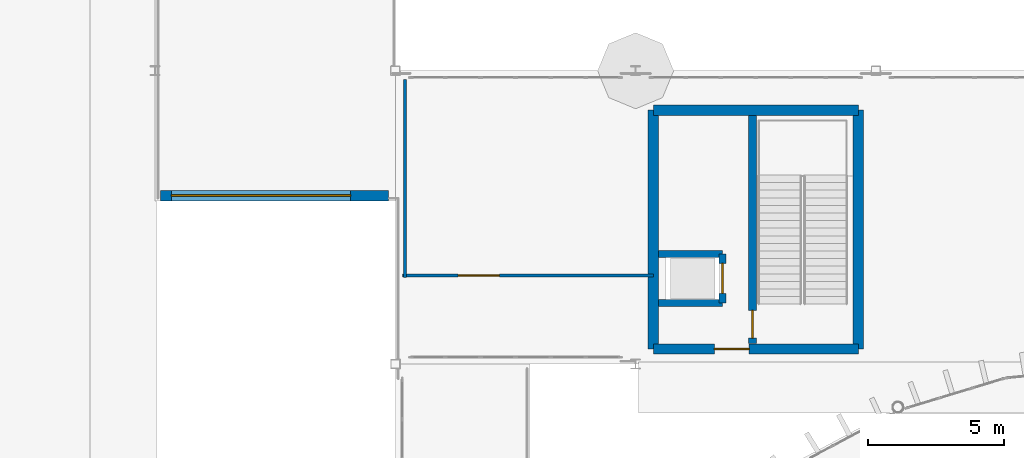
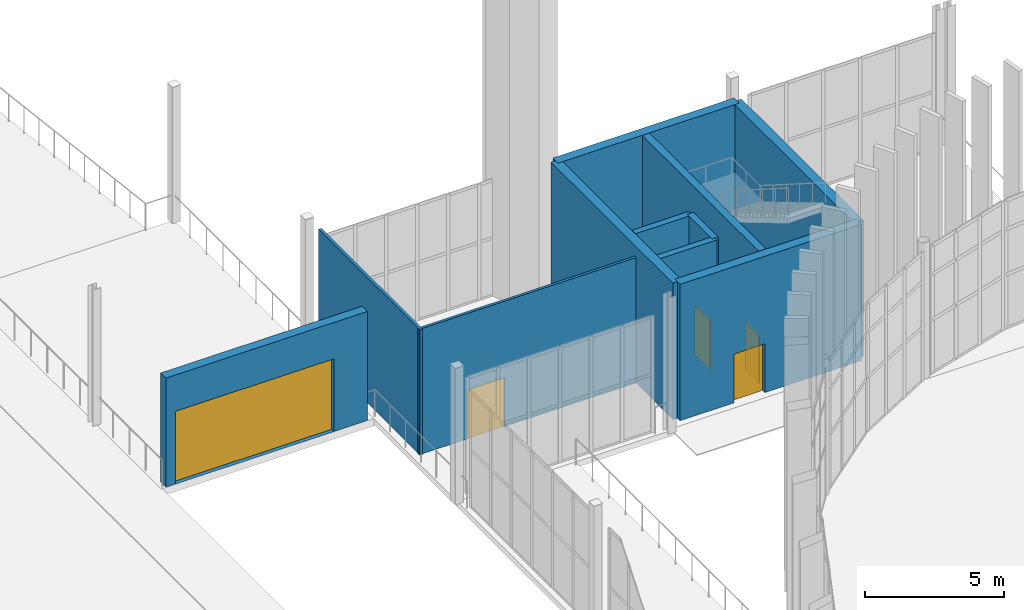
# One storey, part 103 of 139: 11 walls, 5 doors, 5 openings.
"""IFC4 building model written with IfcOpenShell, lengths in metres."""

import ifcopenshell
import ifcopenshell.guid

model = None  # the IFC model being written
_history = None  # IfcOwnerHistory: only IFC2X3 demands one
_inside = {}  # id of a spatial element -> (the spatial element, [elements in it])
_under = {}  # id of a project, library or spatial element -> (it, [spatial elements below it])
_declared = {}  # id of a project -> (the project, [libraries it declares])
_typed = {}  # id of a type object -> (the type object, [elements of that type])
_made_of = {}  # id of a material, layer set ... -> (it, [elements and type objects made of it])


def new_model(schema):
    """Start an empty IFC model of exactly this schema.

    Asked for "IFC4X3", IfcOpenShell would pick the latest addendum, in which some entities
    have other attributes; the version numbers below select the first issue.
    IFC2X3 requires an IfcOwnerHistory on every rooted entity: one is made here for all.
    """
    global model, _history
    if schema == "IFC4X3":
        model = ifcopenshell.file(schema_version=(4, 3, 0, 0))
    else:
        model = ifcopenshell.file(schema=schema)
    _inside.clear()
    _under.clear()
    _declared.clear()
    _typed.clear()
    _made_of.clear()
    _history = None
    if model.schema == "IFC2X3":
        org = make("IfcOrganization", Name="unknown")
        user = make(
            "IfcPersonAndOrganization",
            ThePerson=make("IfcPerson", FamilyName="unknown"),
            TheOrganization=org,
        )
        app = make(
            "IfcApplication",
            ApplicationDeveloper=org,
            Version="unknown",
            ApplicationFullName="unknown",
            ApplicationIdentifier="unknown",
        )
        _history = make(
            "IfcOwnerHistory",
            OwningUser=user,
            OwningApplication=app,
            ChangeAction="ADDED",
            CreationDate=0,
        )
    return model


def make(cls, **values):
    """One entity of the class cls with the attributes given. An attribute that is None is left unset."""
    return model.create_entity(
        cls, **{name: value for name, value in values.items() if value is not None}
    )


def rooted(cls, **values):
    """An entity with a GlobalId (a new one), such as an element, a storey or a relation."""
    return make(cls, GlobalId=ifcopenshell.guid.new(), OwnerHistory=_history, **values)


def si_unit(unit_type, name, prefix=None):
    """IfcSIUnit, for example si_unit("LENGTHUNIT", "METRE", prefix="MILLI")."""
    return make("IfcSIUnit", UnitType=unit_type, Prefix=prefix, Name=name)


def assignment(units):
    """IfcUnitAssignment: the units of a project."""
    return None if units is None else make("IfcUnitAssignment", Units=units)


def point(xyz):
    """IfcCartesianPoint."""
    return None if xyz is None else make("IfcCartesianPoint", Coordinates=xyz)


def direction(xyz):
    """IfcDirection."""
    return None if xyz is None else make("IfcDirection", DirectionRatios=xyz)


def frame(location, z_axis=None, x_axis=None):
    """IfcAxis2Placement3D, a coordinate frame: its origin and axes. An axis left out is left unset."""
    return make(
        "IfcAxis2Placement3D",
        Location=point(location),
        Axis=direction(z_axis),
        RefDirection=direction(x_axis),
    )


def frame_2d(location, x_axis=None):
    """IfcAxis2Placement2D, a coordinate frame in the plane: its origin and x axis."""
    return make(
        "IfcAxis2Placement2D", Location=point(location), RefDirection=direction(x_axis)
    )


def origin():
    """The frame at (0, 0, 0) with its axes left unset."""
    return frame((0.0, 0.0, 0.0))


def place(relative_to, where):
    """IfcLocalPlacement: puts the frame where relative to a parent placement (None: the world)."""
    return make(
        "IfcLocalPlacement", PlacementRelTo=relative_to, RelativePlacement=where
    )


def context(
    kind, dimensions, precision=None, world=None, true_north=None, identifier=None
):
    """IfcGeometricRepresentationContext, for example the 3D "Model" context."""
    return make(
        "IfcGeometricRepresentationContext",
        ContextIdentifier=identifier,
        ContextType=kind,
        CoordinateSpaceDimension=dimensions,
        Precision=precision,
        WorldCoordinateSystem=world,
        TrueNorth=true_north,
    )


def subcontext(parent, identifier, kind, view, scale=None):
    """IfcGeometricRepresentationSubContext, for example "Body" below "Model"."""
    return make(
        "IfcGeometricRepresentationSubContext",
        ContextIdentifier=identifier,
        ContextType=kind,
        ParentContext=parent,
        TargetScale=scale,
        TargetView=view,
    )


def project(units=None, contexts=None):
    """IfcProject with its units and contexts."""
    return rooted(
        "IfcProject",
        Name="project",
        RepresentationContexts=contexts,
        UnitsInContext=assignment(units),
    )


def spatial(cls, under=None, at=None, **own):
    """A site, building, storey or space (cls), placed at a placement, below another one or the project."""
    s = rooted(cls, ObjectPlacement=at, **own)
    if under is not None:
        _under.setdefault(under.id(), (under, []))[1].append(s)
    return s


def profile(cls, at=None, kind="AREA", **sizes):
    """A parametric profile (cls). Its sizes go by their IFC names, for example OverallWidth=200.0."""
    return make(cls, ProfileType=kind, Position=at, **sizes)


def rectangle(**sizes):
    """IfcRectangleProfileDef."""
    return profile("IfcRectangleProfileDef", **sizes)


def extrude(swept, where, along, depth):
    """IfcExtrudedAreaSolid: the profile swept, set in the frame where, extruded along a direction by depth."""
    return make(
        "IfcExtrudedAreaSolid",
        SweptArea=swept,
        Position=where,
        ExtrudedDirection=direction(along),
        Depth=depth,
    )


def shape(context_of_items, identifier, shape_type, items):
    """IfcShapeRepresentation: the items that make up one representation, for example the "Body"."""
    return make(
        "IfcShapeRepresentation",
        ContextOfItems=context_of_items,
        RepresentationIdentifier=identifier,
        RepresentationType=shape_type,
        Items=items,
    )


def material(Name=None, Category=None):
    """IfcMaterial."""
    return make("IfcMaterial", Name=Name, Category=Category)


def layer(
    of_material, thickness, ventilated=None, Name=None, Category=None, Priority=None
):
    """IfcMaterialLayer: one layer of a wall or slab, of a material (None: an air gap)."""
    return make(
        "IfcMaterialLayer",
        Material=of_material,
        LayerThickness=thickness,
        IsVentilated=ventilated,
        Name=Name,
        Category=Category,
        Priority=Priority,
    )


def layer_set(layers, Name=None):
    """IfcMaterialLayerSet."""
    return make("IfcMaterialLayerSet", MaterialLayers=layers, LayerSetName=Name)


def made_of(thing, what):
    """Note that an element or type object is made of a material, layer set ...; save() writes the relation."""
    if what is not None:
        _made_of.setdefault(what.id(), (what, []))[1].append(thing)
    return thing


def type_object(cls, material=None, **own):
    """A type object (cls), such as IfcWallType, which elements share."""
    return made_of(rooted(cls, **own), material)


def element(
    cls,
    number,
    at=None,
    inside=None,
    cuts=None,
    type_object=None,
    material=None,
    context=None,
    identifier="Body",
    shape_type=None,
    held_by="IfcProductDefinitionShape",
    body=None,
    shapes=None,
    **own,
):
    """One element of the class cls, such as IfcWall. Its Tag is "e" and its number.

    at: its placement. inside: the storey or other place that contains it. cuts: it is an
    opening in that element (IfcRelVoidsElement). A single representation is given by context,
    identifier, shape_type and body (its items); several are given by shapes. held_by: the class
    of the entity that holds the representations. save() writes the other relations.
    """
    e = rooted(cls, Tag="e%d" % number, ObjectPlacement=at, **own)
    if body is not None:
        shapes = [shape(context, identifier, shape_type, body)]
    if shapes is not None:
        e.Representation = make(held_by, Representations=shapes)
    if inside is not None:
        _inside.setdefault(inside.id(), (inside, []))[1].append(e)
    if cuts is not None:
        rooted(
            "IfcRelVoidsElement", RelatingBuildingElement=cuts, RelatedOpeningElement=e
        )
    if type_object is not None:
        _typed.setdefault(type_object.id(), (type_object, []))[1].append(e)
    return made_of(e, material)


def fill(opening, filler):
    """IfcRelFillsElement: the door or window that sits in an opening."""
    return rooted(
        "IfcRelFillsElement",
        RelatingOpeningElement=opening,
        RelatedBuildingElement=filler,
    )


def aggregate(whole, parts):
    """IfcRelAggregates: a whole, such as a stair, and the parts it consists of."""
    return rooted("IfcRelAggregates", RelatingObject=whole, RelatedObjects=parts)


def save(model, path):
    """Write the relations noted so far, then the file.

    IfcRelAggregates (storeys below a building ...), IfcRelContainedInSpatialStructure (elements
    in a storey), IfcRelDefinesByType, IfcRelAssociatesMaterial and IfcRelDeclares: one each for
    every whole, place, type object, material and project.
    """
    for whole, parts in _under.values():
        aggregate(whole, parts)
    for where, things in _inside.values():
        rooted(
            "IfcRelContainedInSpatialStructure",
            RelatedElements=things,
            RelatingStructure=where,
        )
    for kind, things in _typed.values():
        rooted("IfcRelDefinesByType", RelatedObjects=things, RelatingType=kind)
    for what, things in _made_of.values():
        rooted("IfcRelAssociatesMaterial", RelatedObjects=things, RelatingMaterial=what)
    for by, libraries in _declared.values():
        rooted("IfcRelDeclares", RelatingContext=by, RelatedDefinitions=libraries)
    model.write(path)


model = new_model("IFC4")

# Units and contexts
model_context = context("Model", 3, precision=1e-05, world=origin(), true_north=direction((0.0, 1.0)))
body_context = subcontext(model_context, "Body", "Model", "MODEL_VIEW")
ifc_project = project(units=[si_unit("LENGTHUNIT", "METRE"), si_unit("AREAUNIT", "SQUARE_METRE"), si_unit("VOLUMEUNIT", "CUBIC_METRE"), si_unit("PLANEANGLEUNIT", "RADIAN"), si_unit("MASSUNIT", "GRAM", prefix="KILO")], contexts=[model_context])

# Site, building, storey
site_placement = place(None, origin())
site = spatial("IfcSite", under=ifc_project, at=site_placement, CompositionType="ELEMENT")
building_placement = place(site_placement, origin())
building = spatial("IfcBuilding", under=site, at=building_placement, Name="Yeouljin Market Hall", CompositionType="ELEMENT")
storey_placement = place(building_placement, origin())
storey = spatial("IfcBuildingStorey", under=building, at=storey_placement, Name="L00", CompositionType="ELEMENT", Elevation=0.0)

# Wall, opening, door
ifc_material_1 = material(Name="Gypsum Board Partition")
ifc_layer_1 = layer(ifc_material_1, 0.110107421875)
ifc_layer_set_1 = layer_set([ifc_layer_1], Name="Gypsum Board Partition")
wall_type_1 = type_object("IfcWallType", Name="Part_Office_110", PredefinedType="PARTITIONING", material=ifc_layer_set_1)
wall_1_placement = place(storey_placement, frame((9.1201171875, 81.260009765625, 0.0), z_axis=(0.0, 0.0, 1.0), x_axis=(1.0, 0.0, 0.0)))
wall_1 = element("IfcWall", 1, at=wall_1_placement, inside=storey, type_object=wall_type_1, Name="Interior partition PART-L00-0060", PredefinedType="PARTITIONING", context=body_context, shape_type="SweptSolid", body=[
    extrude(rectangle(XDim=9.22998046875, YDim=0.110107421875, at=frame_2d((4.614990234375, 0.0))), origin(), (0.0, 0.0, 1.0), 5.52001953125),
])
opening_1_placement = place(wall_1_placement, frame((2.03759765625, 0.0, 0.0)))
opening_1 = element("IfcOpeningElement", 2, at=opening_1_placement, cuts=wall_1, Name="Opening D-L00-019", PredefinedType="OPENING", context=body_context, shape_type="SweptSolid", body=[
    extrude(rectangle(XDim=1.52001953125, YDim=2.14990234375, at=frame_2d((0.760009765625, 1.074951171875))), frame((0.0, 0.06494140625, 0.0), z_axis=(0.0, -1.0, 0.0), x_axis=(1.0, 0.0, 0.0)), (0.0, 0.0, 1.0), 0.130126953125),
])
ifc_material_2 = material(Name="Painted Fire-Rated Steel", Category="steel")
door_type_1 = type_object("IfcDoorType", Name="DT-FD152", OperationType="NOTDEFINED", PredefinedType="DOOR", material=ifc_material_2)
door_1_placement = place(opening_1_placement, origin())
door_1 = element("IfcDoor", 3, at=door_1_placement, inside=storey, type_object=door_type_1, Name="Interior door D-L00-019 (Artisan Rice Cake Workshop)", OperationType="SINGLE_SWING_LEFT", OverallHeight=2.14990234375, OverallWidth=1.52001953125, PredefinedType="DOOR", context=body_context, shape_type="SweptSolid", body=[
    extrude(rectangle(XDim=1.52001953125, YDim=2.14990234375, at=frame_2d((0.760009765625, 1.074951171875))), frame((0.0, 0.02490234375, 0.0), z_axis=(0.0, -1.0, 0.0), x_axis=(1.0, 0.0, 0.0)), (0.0, 0.0, 1.0), 0.050048828125),
])
fill(opening_1, door_1)

# Wall
wall_2_placement = place(storey_placement, frame((9.199951171875, 88.47998046875, 0.0), z_axis=(0.0, 0.0, 1.0), x_axis=(0.0, -1.0, 0.0)))
element("IfcWall", 4, at=wall_2_placement, inside=storey, type_object=wall_type_1, Name="Interior partition PART-L00-0061", PredefinedType="PARTITIONING", context=body_context, shape_type="SweptSolid", body=[
    extrude(rectangle(XDim=7.300048828125, YDim=0.110107421875, at=frame_2d((3.64990234375, 0.0))), origin(), (0.0, 0.0, 1.0), 5.52001953125),
])

# Wall, opening, door
ifc_material_3 = material(Name="Concrete C35/45", Category="concrete")
ifc_layer_2 = layer(ifc_material_3, 0.260009765625)
ifc_layer_set_2 = layer_set([ifc_layer_2], Name="Concrete C35/45")
wall_type_2 = type_object("IfcWallType", Name="Wall_Compartment_260", PredefinedType="SHEAR", material=ifc_layer_set_2)
wall_3_placement = place(storey_placement, frame((20.905029296875, 80.25, 0.0), z_axis=(0.0, 0.0, 1.0), x_axis=(0.0, 1.0, 0.0)))
wall_3 = element("IfcWall", 5, at=wall_3_placement, inside=storey, type_object=wall_type_2, Name="Lift LP-02 hoistway front wall (L00)", PredefinedType="SHEAR", context=body_context, shape_type="SweptSolid", body=[
    extrude(rectangle(XDim=1.800048828125, YDim=0.260009765625, at=frame_2d((0.89990234375, 0.0))), origin(), (0.0, 0.0, 1.0), 6.0),
])
opening_2_placement = place(wall_3_placement, frame((0.35009765625, 0.0, 0.0)))
opening_2 = element("IfcOpeningElement", 6, at=opening_2_placement, cuts=wall_3, Name="Opening LD-LP-02-L00", PredefinedType="OPENING", context=body_context, shape_type="SweptSolid", body=[
    extrude(rectangle(XDim=1.10009765625, YDim=2.14990234375, at=frame_2d((0.550048828125, 1.074951171875))), frame((0.0, 0.139892578125, 0.0), z_axis=(0.0, -1.0, 0.0), x_axis=(1.0, 0.0, 0.0)), (0.0, 0.0, 1.0), 0.280029296875),
])
ifc_material_4 = material(Name="Brushed Stainless Steel", Category="steel")
door_type_2 = type_object("IfcDoorType", Name="LD-110", OperationType="SLIDING_TO_LEFT", PredefinedType="DOOR", material=ifc_material_4)
door_2_placement = place(opening_2_placement, origin())
door_2 = element("IfcDoor", 7, at=door_2_placement, inside=storey, type_object=door_type_2, Name="Lift landing sliding door LD-LP-02-L00", OperationType="SLIDING_TO_RIGHT", OverallHeight=2.14990234375, OverallWidth=1.10009765625, PredefinedType="DOOR", context=body_context, shape_type="SweptSolid", body=[
    extrude(rectangle(XDim=1.10009765625, YDim=2.14990234375, at=frame_2d((0.550048828125, 1.074951171875))), frame((0.0, 0.02490234375, 0.0), z_axis=(0.0, -1.0, 0.0), x_axis=(1.0, 0.0, 0.0)), (0.0, 0.0, 1.0), 0.050048828125),
])
fill(opening_2, door_2)

# Walls
for number, where, z_axis, x_axis, name in (
    (8, (18.550048828125, 80.25, 0.0), (0.0, 0.0, 1.0), (1.0, 0.0, 0.0), "Lift LP-02 shaft cheek wall S (L00)"),
    (9, (18.550048828125, 82.050048828125, 0.0), (0.0, 0.0, 1.0), (1.0, 0.0, 0.0), "Lift LP-02 shaft cheek wall N (L00)"),
):
    element("IfcWall", number, at=place(storey_placement, frame(where, z_axis=z_axis, x_axis=x_axis)), inside=storey, type_object=wall_type_2, Name=name, PredefinedType="SHEAR", context=body_context, shape_type="SweptSolid", body=[
        extrude(rectangle(XDim=2.35498046875, YDim=0.260009765625, at=frame_2d((1.177490234375, 0.0))), origin(), (0.0, 0.0, 1.0), 6.0),
    ])

# Wall, opening, door
ifc_material_5 = material(Name="Concrete C35/45", Category="concrete")
ifc_layer_3 = layer(ifc_material_5, 0.3798828125)
ifc_layer_set_3 = layer_set([ifc_layer_3], Name="Concrete C35/45")
wall_type_3 = type_object("IfcWallType", Name="Wall_CoreShear_380", PredefinedType="SHEAR", material=ifc_layer_set_3)
wall_4_placement = place(storey_placement, frame((18.35009765625, 78.550048828125, 0.0), z_axis=(0.0, 0.0, 1.0), x_axis=(1.0, 0.0, 0.0)))
wall_4 = element("IfcWall", 10, at=wall_4_placement, inside=storey, type_object=wall_type_3, Name="Core C2 south shear wall (L00)", PredefinedType="SHEAR", context=body_context, shape_type="SweptSolid", body=[
    extrude(rectangle(XDim=7.5498046875, YDim=0.3798828125, at=frame_2d((3.77490234375, 0.0))), origin(), (0.0, 0.0, 1.0), 6.0),
])
opening_3_placement = place(wall_4_placement, frame((2.25, 0.0, 0.0)))
opening_3 = element("IfcOpeningElement", 11, at=opening_3_placement, cuts=wall_4, Name="Opening FD-C2-L00-01", PredefinedType="OPENING", context=body_context, shape_type="SweptSolid", body=[
    extrude(rectangle(XDim=1.280029296875, YDim=2.14990234375, at=frame_2d((0.64013671875, 1.074951171875))), frame((0.0, 0.199951171875, 0.0), z_axis=(0.0, -1.0, 0.0), x_axis=(1.0, 0.0, 0.0)), (0.0, 0.0, 1.0), 0.39990234375),
])
ifc_material_6 = material(Name="Painted Fire-Rated Steel", Category="steel")
door_type_3 = type_object("IfcDoorType", Name="DT-FD128", OperationType="NOTDEFINED", PredefinedType="DOOR", material=ifc_material_6)
door_3_placement = place(opening_3_placement, origin())
door_3 = element("IfcDoor", 12, at=door_3_placement, inside=storey, type_object=door_type_3, Name="Core C2 lobby fire door (L00)", OperationType="SINGLE_SWING_LEFT", OverallHeight=2.14990234375, OverallWidth=1.280029296875, PredefinedType="DOOR", context=body_context, shape_type="SweptSolid", body=[
    extrude(rectangle(XDim=1.280029296875, YDim=2.14990234375, at=frame_2d((0.64013671875, 1.074951171875))), frame((0.0, 0.02490234375, 0.0), z_axis=(0.0, -1.0, 0.0), x_axis=(1.0, 0.0, 0.0)), (0.0, 0.0, 1.0), 0.050048828125),
])
fill(opening_3, door_3)

# Walls
wall_5_placement = place(storey_placement, frame((25.89990234375, 87.35009765625, 0.0), z_axis=(0.0, 0.0, 1.0), x_axis=(-1.0, 0.0, 0.0)))
element("IfcWall", 13, at=wall_5_placement, inside=storey, type_object=wall_type_3, Name="Core C2 north shear wall (L00)", PredefinedType="SHEAR", context=body_context, shape_type="SweptSolid", body=[
    extrude(rectangle(XDim=7.5498046875, YDim=0.3798828125, at=frame_2d((3.77490234375, 0.0))), origin(), (0.0, 0.0, 1.0), 6.0),
])
for number, where, z_axis, x_axis, name in (
    (14, (18.35009765625, 87.35009765625, 0.0), (0.0, 0.0, 1.0), (0.0, -1.0, 0.0), "Core C2 west shear wall (L00)"),
    (15, (25.89990234375, 78.550048828125, 0.0), (0.0, 0.0, 1.0), (0.0, 1.0, 0.0), "Core C2 east shear wall (L00)"),
):
    element("IfcWall", number, at=place(storey_placement, frame(where, z_axis=z_axis, x_axis=x_axis)), inside=storey, type_object=wall_type_3, Name=name, PredefinedType="SHEAR", context=body_context, shape_type="SweptSolid", body=[
        extrude(rectangle(XDim=8.800048828125, YDim=0.3798828125, at=frame_2d((4.39990234375, 0.0))), origin(), (0.0, 0.0, 1.0), 6.0),
    ])

# Wall, opening, door
ifc_material_7 = material(Name="Pocheon Granite Stone", Category="masonry")
ifc_layer_4 = layer(ifc_material_7, 0.3798828125)
ifc_layer_set_4 = layer_set([ifc_layer_4], Name="Pocheon Granite Stone")
wall_type_4 = type_object("IfcWallType", Name="Wall_Ext_GranitePlinth_380", PredefinedType="SOLIDWALL", material=ifc_layer_set_4)
wall_6_placement = place(storey_placement, frame((0.199951171875, 84.199951171875, 0.0), z_axis=(0.0, 0.0, 1.0), x_axis=(1.0, 0.0, 0.0)))
wall_6 = element("IfcWall", 16, at=wall_6_placement, inside=storey, type_object=wall_type_4, Name="Exterior wall WE-RAMP-PORTAL-L00", PredefinedType="SOLIDWALL", context=body_context, shape_type="SweptSolid", body=[
    extrude(rectangle(XDim=8.400146484375, YDim=0.3798828125, at=frame_2d((4.2001953125, 0.0))), origin(), (0.0, 0.0, 1.0), 4.800048828125),
])
opening_4_placement = place(wall_6_placement, frame((0.39990234375, 0.0, 0.0)))
opening_4 = element("IfcOpeningElement", 17, at=opening_4_placement, cuts=wall_6, Name="Opening SH-B1-01", PredefinedType="OPENING", context=body_context, shape_type="SweptSolid", body=[
    extrude(rectangle(XDim=6.60009765625, YDim=3.199951171875, at=frame_2d((3.300048828125, 1.60009765625))), frame((0.0, 0.199951171875, 0.0), z_axis=(0.0, -1.0, 0.0), x_axis=(1.0, 0.0, 0.0)), (0.0, 0.0, 1.0), 0.39990234375),
])
ifc_material_8 = material(Name="Galvanised Painted Steel", Category="steel")
door_type_4 = type_object("IfcDoorType", Name="DT-SH660", OperationType="ROLLINGUP", PredefinedType="GATE", material=ifc_material_8)
door_4_placement = place(opening_4_placement, origin())
door_4 = element("IfcDoor", 18, at=door_4_placement, inside=storey, type_object=door_type_4, Name="B1 car park ramp roller shutter gate SH-B1-01", OperationType="ROLLINGUP", OverallHeight=3.199951171875, OverallWidth=6.60009765625, PredefinedType="GATE", context=body_context, shape_type="SweptSolid", body=[
    extrude(rectangle(XDim=6.60009765625, YDim=3.199951171875, at=frame_2d((3.300048828125, 1.60009765625))), frame((0.0, 0.02490234375, 0.0), z_axis=(0.0, -1.0, 0.0), x_axis=(1.0, 0.0, 0.0)), (0.0, 0.0, 1.0), 0.050048828125),
])
fill(opening_4, door_4)

ifc_material_9 = material(Name="Concrete C35/45", Category="concrete")
ifc_layer_5 = layer(ifc_material_9, 0.300048828125)
ifc_layer_set_5 = layer_set([ifc_layer_5], Name="Concrete C35/45")
wall_type_5 = type_object("IfcWallType", Name="Wall_ShaftShear_300", PredefinedType="SHEAR", material=ifc_layer_set_5)
wall_7_placement = place(storey_placement, frame((22.0, 78.75, 0.0), z_axis=(0.0, 0.0, 1.0), x_axis=(0.0, 1.0, 0.0)))
wall_7 = element("IfcWall", 19, at=wall_7_placement, inside=storey, type_object=wall_type_5, Name="Core C2 stairwell divider wall (L00)", PredefinedType="SHEAR", context=body_context, shape_type="SweptSolid", body=[
    extrude(rectangle(XDim=8.39990234375, YDim=0.300048828125, at=frame_2d((4.199951171875, 0.0))), origin(), (0.0, 0.0, 1.0), 6.0),
])
opening_5_placement = place(wall_7_placement, frame((0.199951171875, 0.0, 0.0)))
opening_5 = element("IfcOpeningElement", 20, at=opening_5_placement, cuts=wall_7, Name="Opening SD-C2-L00", PredefinedType="OPENING", context=body_context, shape_type="SweptSolid", body=[
    extrude(rectangle(XDim=1.02001953125, YDim=2.10009765625, at=frame_2d((0.510009765625, 1.050048828125))), frame((0.0, 0.159912109375, 0.0), z_axis=(0.0, -1.0, 0.0), x_axis=(1.0, 0.0, 0.0)), (0.0, 0.0, 1.0), 0.320068359375),
])
ifc_material_10 = material(Name="Painted Fire-Rated Steel", Category="steel")
door_type_5 = type_object("IfcDoorType", Name="DT-FD102", OperationType="NOTDEFINED", PredefinedType="DOOR", material=ifc_material_10)
door_5_placement = place(opening_5_placement, origin())
door_5 = element("IfcDoor", 21, at=door_5_placement, inside=storey, type_object=door_type_5, Name="Core C2 exit stair door (L00)", OperationType="SINGLE_SWING_RIGHT", OverallHeight=2.10009765625, OverallWidth=1.02001953125, PredefinedType="DOOR", context=body_context, shape_type="SweptSolid", body=[
    extrude(rectangle(XDim=1.02001953125, YDim=2.10009765625, at=frame_2d((0.510009765625, 1.050048828125))), frame((0.0, 0.02490234375, 0.0), z_axis=(0.0, -1.0, 0.0), x_axis=(1.0, 0.0, 0.0)), (0.0, 0.0, 1.0), 0.050048828125),
])
fill(opening_5, door_5)

save(model, "model.ifc")
